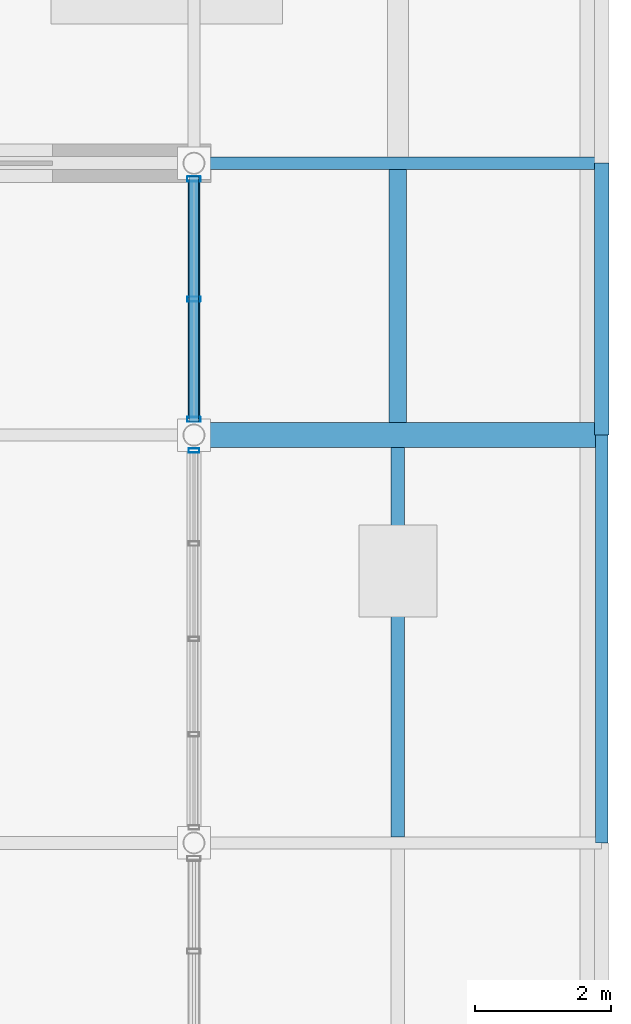
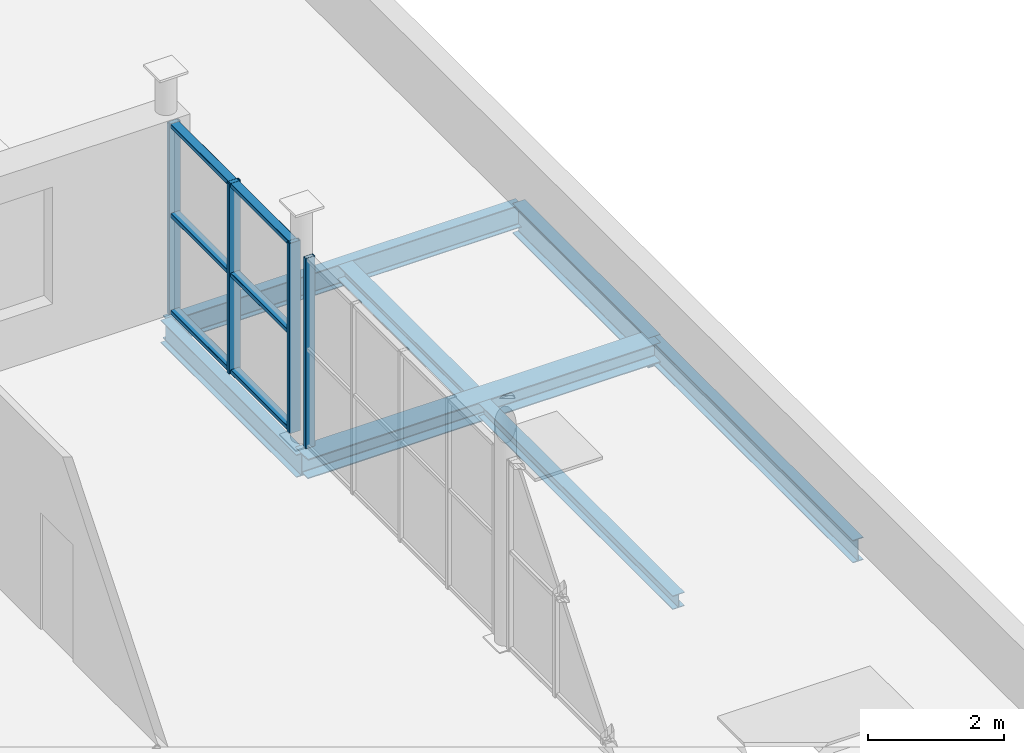
# One storey, part 20 of 27: 7 beams, 7 members, 2 elements without a shape of their own.
"""IFC4 building model written with IfcOpenShell, lengths in metres."""

from ifc_helpers import new_model, si_unit, direction, frame, origin, origin_2d, place, context, subcontext, project, spatial, hollow_rectangle, i_section, extrude, material, material_profile, profile_set, type_object, element, aggregate, save


model = new_model("IFC4")

# Units and contexts
model_context = context("Model", 3, precision=1e-05, world=origin(), true_north=direction((0.0, 1.0)))
body_context = subcontext(model_context, "Body", "Model", "MODEL_VIEW")
ifc_project = project(units=[si_unit("LENGTHUNIT", "METRE"), si_unit("AREAUNIT", "SQUARE_METRE"), si_unit("VOLUMEUNIT", "CUBIC_METRE"), si_unit("PLANEANGLEUNIT", "RADIAN"), si_unit("MASSUNIT", "GRAM", prefix="KILO")], contexts=[model_context])

# Site, building, storey
site_placement = place(None, origin())
site = spatial("IfcSite", under=ifc_project, at=site_placement, CompositionType="ELEMENT")
building_placement = place(site_placement, origin())
building = spatial("IfcBuilding", under=site, at=building_placement, Name="Verrall Gate Interchange", CompositionType="ELEMENT")
storey_placement = place(building_placement, frame((0.0, 0.0, 28.60009765625)))
storey = spatial("IfcBuildingStorey", under=building, at=storey_placement, Name="L07", CompositionType="ELEMENT", Elevation=28.60009765625)

# Beams
ifc_material_1 = material(Name="Structural Steel CSA G40.21 350W", Category="steel")
ifc_material_profile_1 = material_profile(ifc_material_1, i_section(OverallWidth=0.2109375, OverallDepth=0.5390625, WebThickness=0.01171875, FlangeThickness=0.018798828125, FilletRadius=0.013916015625, at=origin_2d()), Name="W530x109")
ifc_profile_set_1 = profile_set([ifc_material_profile_1], Name="Structural Steel CSA G40.21 350W")
beam_type_1 = type_object("IfcBeamType", Name="B-10 Structural Beam W530x109", PredefinedType="BEAM", material=ifc_profile_set_1)
beam_1_placement = place(storey_placement, frame((36.0, 40.0, -0.529541015625), z_axis=(0.0, 1.0, 0.0), x_axis=(-1.0, 0.0, 0.0)))
element("IfcBeam", 1, at=beam_1_placement, inside=storey, type_object=beam_type_1, Name="L07 Girder BM-L07-3315 (B-10)", PredefinedType="BEAM", context=body_context, shape_type="SweptSolid", body=[
    extrude(i_section(OverallWidth=0.2109375, OverallDepth=0.5390625, WebThickness=0.01171875, FlangeThickness=0.018798828125, FilletRadius=0.013916015625, at=origin_2d()), origin(), (0.0, 0.0, 1.0), 4.0),
])
ifc_material_2 = material(Name="Structural Steel CSA G40.21 350W", Category="steel")
ifc_material_profile_2 = material_profile(ifc_material_2, i_section(OverallWidth=0.178955078125, OverallDepth=0.409912109375, WebThickness=0.0087890625, FlangeThickness=0.014404296875, FilletRadius=0.011962890625, at=origin_2d()), Name="W410x67")
ifc_profile_set_2 = profile_set([ifc_material_profile_2], Name="Structural Steel CSA G40.21 350W")
beam_type_2 = type_object("IfcBeamType", Name="B-12 Structural Beam W410x67", PredefinedType="BEAM", material=ifc_profile_set_2)
beam_2_placement = place(storey_placement, frame((30.0, 44.0, -0.465087890625), z_axis=(1.0, 0.0, 0.0), x_axis=(0.0, 1.0, 0.0)))
element("IfcBeam", 2, at=beam_2_placement, inside=storey, type_object=beam_type_2, Name="L07 Girder BM-L07-3255 (B-12)", PredefinedType="BEAM", context=body_context, shape_type="SweptSolid", body=[
    extrude(i_section(OverallWidth=0.178955078125, OverallDepth=0.409912109375, WebThickness=0.0087890625, FlangeThickness=0.014404296875, FilletRadius=0.011962890625, at=origin_2d()), origin(), (0.0, 0.0, 1.0), 6.0),
])
beam_3_placement = place(storey_placement, frame((30.0, 40.0, -0.465087890625), z_axis=(0.0, 1.0, 0.0), x_axis=(-1.0, 0.0, 0.0)))
element("IfcBeam", 3, at=beam_3_placement, inside=storey, type_object=beam_type_2, Name="L07 Girder BM-L07-3306 (B-12)", PredefinedType="BEAM", context=body_context, shape_type="SweptSolid", body=[
    extrude(i_section(OverallWidth=0.178955078125, OverallDepth=0.409912109375, WebThickness=0.0087890625, FlangeThickness=0.014404296875, FilletRadius=0.011962890625, at=origin_2d()), origin(), (0.0, 0.0, 1.0), 4.0),
])
beam_4_placement = place(storey_placement, frame((36.0, 34.0, -0.465087890625), z_axis=(0.0, 1.0, 0.0), x_axis=(-1.0, 0.0, 0.0)))
element("IfcBeam", 4, at=beam_4_placement, inside=storey, type_object=beam_type_2, Name="L07 Girder BM-L07-3314 (B-12)", PredefinedType="BEAM", context=body_context, shape_type="SweptSolid", body=[
    extrude(i_section(OverallWidth=0.178955078125, OverallDepth=0.409912109375, WebThickness=0.0087890625, FlangeThickness=0.014404296875, FilletRadius=0.011962890625, at=origin_2d()), origin(), (0.0, 0.0, 1.0), 6.0),
])
ifc_material_3 = material(Name="Structural Steel CSA G40.21 350W", Category="steel")
ifc_material_profile_3 = material_profile(ifc_material_3, i_section(OverallWidth=0.368896484375, OverallDepth=0.35595703125, WebThickness=0.01123046875, FlangeThickness=0.01806640625, FilletRadius=0.014892578125, at=origin_2d()), Name="W360x134")
ifc_profile_set_3 = profile_set([ifc_material_profile_3], Name="Structural Steel CSA G40.21 350W")
beam_type_3 = type_object("IfcBeamType", Name="B-13 Structural Beam W360x134", PredefinedType="BEAM", material=ifc_profile_set_3)
beam_5_placement = place(storey_placement, frame((30.0, 40.0, -0.43798828125), z_axis=(1.0, 0.0, 0.0), x_axis=(0.0, 1.0, 0.0)))
element("IfcBeam", 5, at=beam_5_placement, inside=storey, type_object=beam_type_3, Name="L07 Girder BM-L07-3250 (B-13)", PredefinedType="BEAM", context=body_context, shape_type="SweptSolid", body=[
    extrude(i_section(OverallWidth=0.368896484375, OverallDepth=0.35595703125, WebThickness=0.01123046875, FlangeThickness=0.01806640625, FilletRadius=0.014892578125, at=origin_2d()), origin(), (0.0, 0.0, 1.0), 6.0),
])

# Curtain wall, member
ifc_material_4 = material(Name="Thermally Broken Anodized Aluminium Curtain Wall Framing", Category="aluminium")
curtain_wall_type_1 = type_object("IfcCurtainWallType", Name="CW-50 Unitized Curtain Wall 5647x3420", PredefinedType="NOTDEFINED", material=ifc_material_4)
curtain_wall_1_placement = place(storey_placement, origin())
curtain_wall_1 = element("IfcCurtainWall", 6, at=curtain_wall_1_placement, inside=storey, type_object=curtain_wall_type_1, Name="L07 Unitized Curtain Wall CW-L07-160", PredefinedType="NOTDEFINED")
ifc_material_5 = material(Name="Thermally Broken Anodized Aluminium Curtain Wall Framing", Category="aluminium")
ifc_material_profile_4 = material_profile(ifc_material_5, hollow_rectangle(XDim=0.06494140625, YDim=0.159912109375, WallThickness=0.00390625, InnerFilletRadius=0.00390625, OuterFilletRadius=0.008056640625, at=origin_2d()), Name="CWM160x65x4")
ifc_profile_set_4 = profile_set([ifc_material_profile_4], Name="Thermally Broken Anodized Aluminium Curtain Wall Framing")
member_type_1 = type_object("IfcMemberType", Name="CM-01 Curtain Mullion CWM160x65x4", PredefinedType="MULLION", material=ifc_profile_set_4)
member_1_placement = place(storey_placement, frame((30.0, 39.773681640625, 0.0), z_axis=(0.0, 0.0, 1.0), x_axis=(0.0, 1.0, 0.0)))
member_1 = element("IfcMember", 7, at=member_1_placement, type_object=member_type_1, Name="CW-L07-160 Mullion 5", PredefinedType="MULLION", context=body_context, shape_type="SweptSolid", body=[
    extrude(hollow_rectangle(XDim=0.06494140625, YDim=0.159912109375, WallThickness=0.00390625, InnerFilletRadius=0.00390625, OuterFilletRadius=0.008056640625, at=origin_2d()), origin(), (0.0, 0.0, 1.0), 3.419921875),
])
aggregate(curtain_wall_1, [member_1])

# Curtain wall, members
ifc_material_6 = material(Name="Thermally Broken Anodized Aluminium Curtain Wall Framing", Category="aluminium")
curtain_wall_type_2 = type_object("IfcCurtainWallType", Name="CW-41 Unitized Curtain Wall 3612x3410", PredefinedType="NOTDEFINED", material=ifc_material_6)
curtain_wall_2_placement = place(storey_placement, origin())
curtain_wall_2 = element("IfcCurtainWall", 8, at=curtain_wall_2_placement, inside=storey, type_object=curtain_wall_type_2, Name="L07 Unitized Curtain Wall CW-L07-161", PredefinedType="NOTDEFINED")
ifc_material_7 = material(Name="Thermally Broken Anodized Aluminium Curtain Wall Framing", Category="aluminium")
ifc_material_profile_5 = material_profile(ifc_material_7, hollow_rectangle(XDim=0.074951171875, YDim=0.199951171875, WallThickness=0.0048828125, InnerFilletRadius=0.0048828125, OuterFilletRadius=0.010009765625, at=origin_2d()), Name="CWM200x75x5")
ifc_profile_set_5 = profile_set([ifc_material_profile_5], Name="Thermally Broken Anodized Aluminium Curtain Wall Framing")
member_type_2 = type_object("IfcMemberType", Name="CM-02 Curtain Mullion CWM200x75x5", PredefinedType="MULLION", material=ifc_profile_set_5)
member_2_placement = place(storey_placement, frame((30.0, 40.2314453125, 0.0), z_axis=(0.0, 0.0, 1.0), x_axis=(0.0, 1.0, 0.0)))
member_2 = element("IfcMember", 9, at=member_2_placement, type_object=member_type_2, Name="CW-L07-161 Mullion 1", PredefinedType="MULLION", context=body_context, shape_type="SweptSolid", body=[
    extrude(hollow_rectangle(XDim=0.074951171875, YDim=0.199951171875, WallThickness=0.0048828125, InnerFilletRadius=0.0048828125, OuterFilletRadius=0.010009765625, at=origin_2d()), origin(), (0.0, 0.0, 1.0), 3.419921875),
])
member_3_placement = place(storey_placement, frame((30.0, 42.0, 0.0), z_axis=(0.0, 0.0, 1.0), x_axis=(0.0, 1.0, 0.0)))
member_3 = element("IfcMember", 10, at=member_3_placement, type_object=member_type_2, Name="CW-L07-161 Mullion 2", PredefinedType="MULLION", context=body_context, shape_type="SweptSolid", body=[
    extrude(hollow_rectangle(XDim=0.074951171875, YDim=0.199951171875, WallThickness=0.0048828125, InnerFilletRadius=0.0048828125, OuterFilletRadius=0.010009765625, at=origin_2d()), origin(), (0.0, 0.0, 1.0), 3.419921875),
])
member_4_placement = place(storey_placement, frame((30.0, 43.7685546875, 0.0), z_axis=(0.0, 0.0, 1.0), x_axis=(0.0, 1.0, 0.0)))
member_4 = element("IfcMember", 11, at=member_4_placement, type_object=member_type_2, Name="CW-L07-161 Mullion 3", PredefinedType="MULLION", context=body_context, shape_type="SweptSolid", body=[
    extrude(hollow_rectangle(XDim=0.074951171875, YDim=0.199951171875, WallThickness=0.0048828125, InnerFilletRadius=0.0048828125, OuterFilletRadius=0.010009765625, at=origin_2d()), origin(), (0.0, 0.0, 1.0), 3.419921875),
])
ifc_material_8 = material(Name="Thermally Broken Anodized Aluminium Curtain Wall Framing", Category="aluminium")
ifc_material_profile_6 = material_profile(ifc_material_8, hollow_rectangle(XDim=0.14990234375, YDim=0.074951171875, WallThickness=0.00439453125, InnerFilletRadius=0.00439453125, OuterFilletRadius=0.009033203125, at=origin_2d()), Name="CWT150x75x4.5")
ifc_profile_set_6 = profile_set([ifc_material_profile_6], Name="Thermally Broken Anodized Aluminium Curtain Wall Framing")
member_type_3 = type_object("IfcMemberType", Name="CT-02 Curtain Transom CWT150x75x4.5", PredefinedType="USERDEFINED", material=ifc_profile_set_6)
member_5_placement = place(storey_placement, frame((30.0, 40.19384765625, 0.037353515625), z_axis=(0.0, 1.0, 0.0), x_axis=(-1.0, 0.0, 0.0)))
member_5 = element("IfcMember", 12, at=member_5_placement, type_object=member_type_3, Name="CW-L07-161 Transom 1", ObjectType="TRANSOM", PredefinedType="USERDEFINED", context=body_context, shape_type="SweptSolid", body=[
    extrude(hollow_rectangle(XDim=0.14990234375, YDim=0.074951171875, WallThickness=0.00439453125, InnerFilletRadius=0.00439453125, OuterFilletRadius=0.009033203125, at=origin_2d()), origin(), (0.0, 0.0, 1.0), 3.6123046875),
])
member_6_placement = place(storey_placement, frame((30.0, 40.19384765625, 1.7783203125), z_axis=(0.0, 1.0, 0.0), x_axis=(-1.0, 0.0, 0.0)))
member_6 = element("IfcMember", 13, at=member_6_placement, type_object=member_type_3, Name="CW-L07-161 Transom 2", ObjectType="TRANSOM", PredefinedType="USERDEFINED", context=body_context, shape_type="SweptSolid", body=[
    extrude(hollow_rectangle(XDim=0.14990234375, YDim=0.074951171875, WallThickness=0.00439453125, InnerFilletRadius=0.00439453125, OuterFilletRadius=0.009033203125, at=origin_2d()), origin(), (0.0, 0.0, 1.0), 3.6123046875),
])
member_7_placement = place(storey_placement, frame((30.0, 40.19384765625, 3.38232421875), z_axis=(0.0, 1.0, 0.0), x_axis=(-1.0, 0.0, 0.0)))
member_7 = element("IfcMember", 14, at=member_7_placement, type_object=member_type_3, Name="CW-L07-161 Transom 3", ObjectType="TRANSOM", PredefinedType="USERDEFINED", context=body_context, shape_type="SweptSolid", body=[
    extrude(hollow_rectangle(XDim=0.14990234375, YDim=0.074951171875, WallThickness=0.00439453125, InnerFilletRadius=0.00439453125, OuterFilletRadius=0.009033203125, at=origin_2d()), origin(), (0.0, 0.0, 1.0), 3.6123046875),
])
aggregate(curtain_wall_2, [member_2, member_3, member_4, member_5, member_6, member_7])

# Beams
ifc_material_9 = material(Name="Structural Steel CSA G40.21 350W", Category="steel")
ifc_material_profile_7 = material_profile(ifc_material_9, i_section(OverallWidth=0.25390625, OverallDepth=0.2529296875, WebThickness=0.008544921875, FlangeThickness=0.01416015625, FilletRadius=0.011962890625, at=origin_2d()), Name="W250x73")
ifc_profile_set_7 = profile_set([ifc_material_profile_7], Name="Structural Steel CSA G40.21 350W")
beam_type_4 = type_object("IfcBeamType", Name="J-05 Floor Joist W250x73", PredefinedType="JOIST", material=ifc_profile_set_7)
beam_6_placement = place(storey_placement, frame((33.0, 40.1845703125, -0.38671875), z_axis=(0.0, 1.0, 0.0), x_axis=(-1.0, 0.0, 0.0)))
element("IfcBeam", 15, at=beam_6_placement, inside=storey, type_object=beam_type_4, Name="L07 Secondary Floor Joist JST-L07-3342", PredefinedType="JOIST", context=body_context, shape_type="SweptSolid", body=[
    extrude(i_section(OverallWidth=0.25390625, OverallDepth=0.2529296875, WebThickness=0.008544921875, FlangeThickness=0.01416015625, FilletRadius=0.011962890625, at=origin_2d()), origin(), (0.0, 0.0, 1.0), 3.725830078125),
])
ifc_material_10 = material(Name="Structural Steel CSA G40.21 350W", Category="steel")
ifc_material_profile_8 = material_profile(ifc_material_10, i_section(OverallWidth=0.201904296875, OverallDepth=0.2470703125, WebThickness=0.00732421875, FlangeThickness=0.010986328125, FilletRadius=0.010986328125, at=origin_2d()), Name="W250x49")
ifc_profile_set_8 = profile_set([ifc_material_profile_8], Name="Structural Steel CSA G40.21 350W")
beam_type_5 = type_object("IfcBeamType", Name="J-06 Floor Joist W250x49", PredefinedType="JOIST", material=ifc_profile_set_8)
beam_7_placement = place(storey_placement, frame((33.0, 34.089599609375, -0.383544921875), z_axis=(0.0, 1.0, 0.0), x_axis=(-1.0, 0.0, 0.0)))
element("IfcBeam", 16, at=beam_7_placement, inside=storey, type_object=beam_type_5, Name="L07 Secondary Floor Joist JST-L07-3338", PredefinedType="JOIST", context=body_context, shape_type="SweptSolid", body=[
    extrude(i_section(OverallWidth=0.201904296875, OverallDepth=0.2470703125, WebThickness=0.00732421875, FlangeThickness=0.010986328125, FilletRadius=0.010986328125, at=origin_2d()), origin(), (0.0, 0.0, 1.0), 5.725830078125),
])

save(model, "model.ifc")
